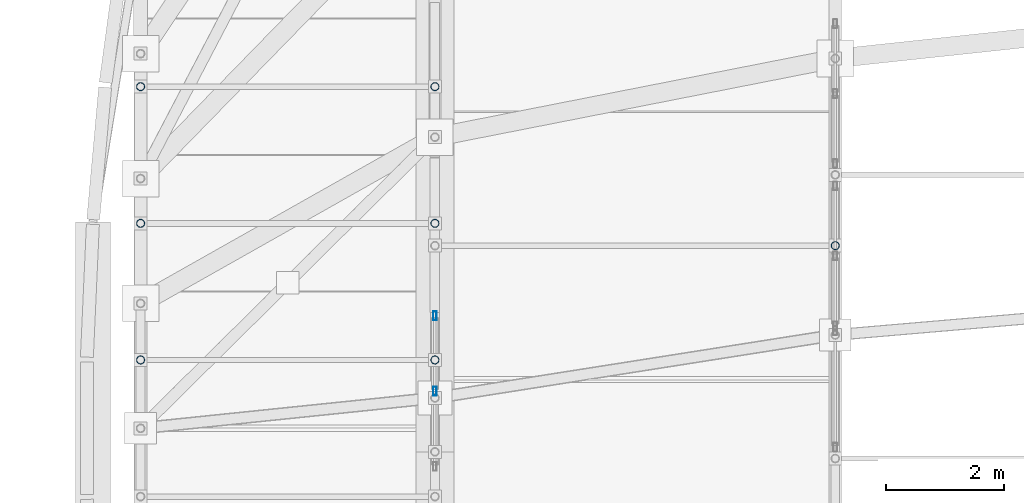
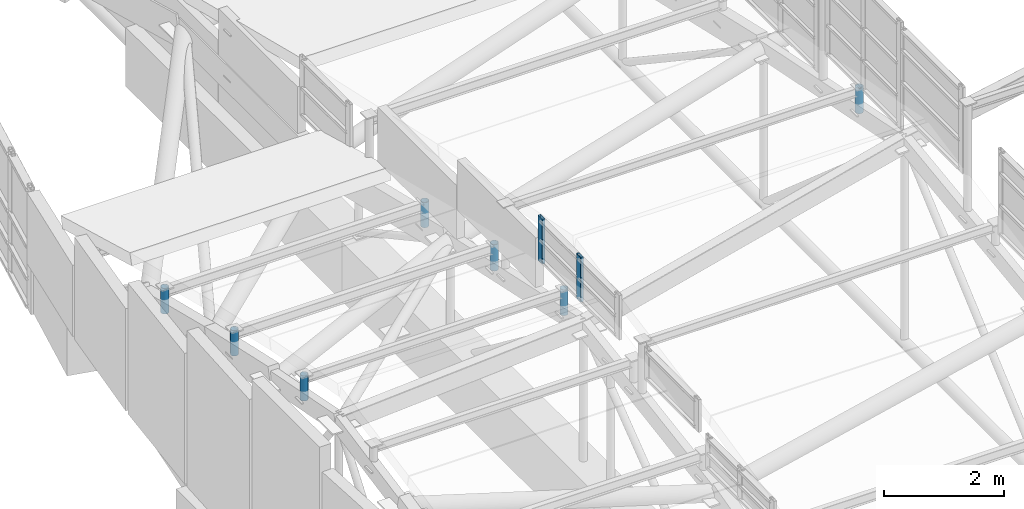
# One storey, part 143 of 188: 9 members, 1 element without a shape of its own.
"""IFC4 building model written with IfcOpenShell, lengths in metres."""

from ifc_helpers import new_model, si_unit, direction, frame, origin, origin_2d, place, context, subcontext, project, spatial, hollow_rectangle, hollow_circle, extrude, material, layer, layer_set, material_profile, profile_set, type_object, element, aggregate, save


model = new_model("IFC4")

# Units and contexts
model_context = context("Model", 3, precision=1e-05, world=origin(), true_north=direction((0.0, 1.0)))
body_context = subcontext(model_context, "Body", "Model", "MODEL_VIEW")
ifc_project = project(units=[si_unit("LENGTHUNIT", "METRE"), si_unit("AREAUNIT", "SQUARE_METRE"), si_unit("VOLUMEUNIT", "CUBIC_METRE"), si_unit("PLANEANGLEUNIT", "RADIAN"), si_unit("MASSUNIT", "GRAM", prefix="KILO")], contexts=[model_context])

# Site, building, storey
site_placement = place(None, origin())
site = spatial("IfcSite", under=ifc_project, at=site_placement, CompositionType="ELEMENT")
building_placement = place(site_placement, origin())
building = spatial("IfcBuilding", under=site, at=building_placement, Name="Kisaragi Civic Commons", CompositionType="ELEMENT")
storey_placement = place(building_placement, frame((0.0, 0.0, 9.60009765625)))
storey = spatial("IfcBuildingStorey", under=building, at=storey_placement, Name="L02", CompositionType="ELEMENT", Elevation=9.60009765625)

# Curtain wall, members
ifc_material_1 = material(Name="Thermally broken anodized aluminium and low-E double glazing", Category="aluminium")
ifc_layer = layer(ifc_material_1, 0.14990234375, Name="Thermally broken anodized aluminium and low-E double glazing", Category="aluminium")
ifc_layer_set = layer_set([ifc_layer], Name="Thermally broken anodized aluminium and low-E double glazing")
curtain_wall_type = type_object("IfcCurtainWallType", Name="CW-03", PredefinedType="NOTDEFINED", material=ifc_layer_set)
curtain_wall_placement = place(storey_placement, origin())
curtain_wall = element("IfcCurtainWall", 1, at=curtain_wall_placement, inside=storey, type_object=curtain_wall_type, Name="L02 curtain wall CW-03 CW-CL-V2-177", PredefinedType="NOTDEFINED")
ifc_material_profile_1 = material_profile(ifc_material_1, hollow_rectangle(XDim=0.06005859375, YDim=0.14990234375, WallThickness=0.00390625, InnerFilletRadius=0.00390625, OuterFilletRadius=0.008056640625, at=origin_2d()), Name="CWM-60x150x4", Category="aluminium")
ifc_profile_set_1 = profile_set([ifc_material_profile_1], Name="Thermally broken anodized aluminium and low-E double glazing")
member_type_1 = type_object("IfcMemberType", Name="CWM-01", PredefinedType="MULLION", material=ifc_profile_set_1)
member_1_placement = place(storey_placement, frame((6.800048828125, 97.030517578125, 3.1337890625), z_axis=(0.0, 0.0, 1.0), x_axis=(-1.0, 0.0, 0.0)))
member_1 = element("IfcMember", 2, at=member_1_placement, type_object=member_type_1, Name="CW-03 mullion 2", PredefinedType="MULLION", context=body_context, shape_type="SweptSolid", body=[
    extrude(hollow_rectangle(XDim=0.06005859375, YDim=0.14990234375, WallThickness=0.00390625, InnerFilletRadius=0.00390625, OuterFilletRadius=0.008056640625, at=origin_2d()), origin(), (0.0, 0.0, 1.0), 0.90673828125),
])
member_2_placement = place(storey_placement, frame((6.800048828125, 98.3115234375, 3.1337890625), z_axis=(0.0, 0.0, 1.0), x_axis=(-1.0, 0.0, 0.0)))
member_2 = element("IfcMember", 3, at=member_2_placement, type_object=member_type_1, Name="CW-03 mullion 3", PredefinedType="MULLION", context=body_context, shape_type="SweptSolid", body=[
    extrude(hollow_rectangle(XDim=0.06005859375, YDim=0.14990234375, WallThickness=0.00390625, InnerFilletRadius=0.00390625, OuterFilletRadius=0.008056640625, at=origin_2d()), origin(), (0.0, 0.0, 1.0), 0.90673828125),
])
aggregate(curtain_wall, [member_1, member_2])

# Members
ifc_material_2 = material(Name="Steel SN490 (SN490B)", Category="steel")
ifc_material_profile_2 = material_profile(ifc_material_2, hollow_circle(Radius=0.06982421875, WallThickness=0.006103515625, at=origin_2d()), Name="CHS-139.8x6.0", Category="steel")
ifc_profile_set_2 = profile_set([ifc_material_profile_2], Name="Steel SN490 (SN490B)")
member_type_2 = type_object("IfcMemberType", Name="ST-H1", PredefinedType="STRUT", material=ifc_profile_set_2)
member_3_placement = place(storey_placement, frame((1.800048828125, 97.560546875, 2.5439453125), z_axis=(0.0, 0.0, 1.0), x_axis=(1.0, 0.0, 0.0)))
element("IfcMember", 4, at=member_3_placement, inside=storey, type_object=member_type_2, Name="V2 clerestory monitor horizontal tie strut 1.0.5", PredefinedType="STRUT", context=body_context, shape_type="SweptSolid", body=[
    extrude(hollow_circle(Radius=0.06982421875, WallThickness=0.006103515625, at=origin_2d()), origin(), (0.0, 0.0, 1.0), 0.510498046875),
])
member_4_placement = place(storey_placement, frame((6.800048828125, 97.560546875, 2.531494140625), z_axis=(0.0, 0.0, 1.0), x_axis=(1.0, 0.0, 0.0)))
element("IfcMember", 5, at=member_4_placement, inside=storey, type_object=member_type_2, Name="V2 clerestory monitor horizontal tie strut 1.1.5", PredefinedType="STRUT", context=body_context, shape_type="SweptSolid", body=[
    extrude(hollow_circle(Radius=0.06982421875, WallThickness=0.006103515625, at=origin_2d()), origin(), (0.0, 0.0, 1.0), 0.52294921875),
])
member_5_placement = place(storey_placement, frame((1.800048828125, 99.88134765625, 2.054443359375), z_axis=(0.0, 0.0, 1.0), x_axis=(1.0, 0.0, 0.0)))
element("IfcMember", 6, at=member_5_placement, inside=storey, type_object=member_type_2, Name="V2 clerestory monitor horizontal tie strut 1.0.6", PredefinedType="STRUT", context=body_context, shape_type="SweptSolid", body=[
    extrude(hollow_circle(Radius=0.06982421875, WallThickness=0.006103515625, at=origin_2d()), origin(), (0.0, 0.0, 1.0), 0.513671875),
])
member_6_placement = place(storey_placement, frame((6.800048828125, 99.88134765625, 2.02978515625), z_axis=(0.0, 0.0, 1.0), x_axis=(1.0, 0.0, 0.0)))
element("IfcMember", 7, at=member_6_placement, inside=storey, type_object=member_type_2, Name="V2 clerestory monitor horizontal tie strut 1.1.6", PredefinedType="STRUT", context=body_context, shape_type="SweptSolid", body=[
    extrude(hollow_circle(Radius=0.06982421875, WallThickness=0.006103515625, at=origin_2d()), origin(), (0.0, 0.0, 1.0), 0.538330078125),
])
member_7_placement = place(storey_placement, frame((1.800048828125, 102.202392578125, 1.498779296875), z_axis=(0.0, 0.0, 1.0), x_axis=(1.0, 0.0, 0.0)))
element("IfcMember", 8, at=member_7_placement, inside=storey, type_object=member_type_2, Name="V2 clerestory monitor horizontal tie strut 1.0.7", PredefinedType="STRUT", context=body_context, shape_type="SweptSolid", body=[
    extrude(hollow_circle(Radius=0.06982421875, WallThickness=0.006103515625, at=origin_2d()), origin(), (0.0, 0.0, 1.0), 0.519775390625),
])
member_8_placement = place(storey_placement, frame((6.800048828125, 102.202392578125, 1.505615234375), z_axis=(0.0, 0.0, 1.0), x_axis=(1.0, 0.0, 0.0)))
element("IfcMember", 9, at=member_8_placement, inside=storey, type_object=member_type_2, Name="V2 clerestory monitor horizontal tie strut 1.1.7", PredefinedType="STRUT", context=body_context, shape_type="SweptSolid", body=[
    extrude(hollow_circle(Radius=0.06982421875, WallThickness=0.006103515625, at=origin_2d()), origin(), (0.0, 0.0, 1.0), 0.512939453125),
])
member_9_placement = place(storey_placement, frame((13.60009765625, 99.501220703125, 3.080322265625), z_axis=(0.0, 0.0, 1.0), x_axis=(1.0, 0.0, 0.0)))
element("IfcMember", 10, at=member_9_placement, inside=storey, type_object=member_type_2, Name="V2 clerestory monitor horizontal tie strut 2.2.5", PredefinedType="STRUT", context=body_context, shape_type="SweptSolid", body=[
    extrude(hollow_circle(Radius=0.06982421875, WallThickness=0.006103515625, at=origin_2d()), origin(), (0.0, 0.0, 1.0), 0.51953125),
])

save(model, "model.ifc")
